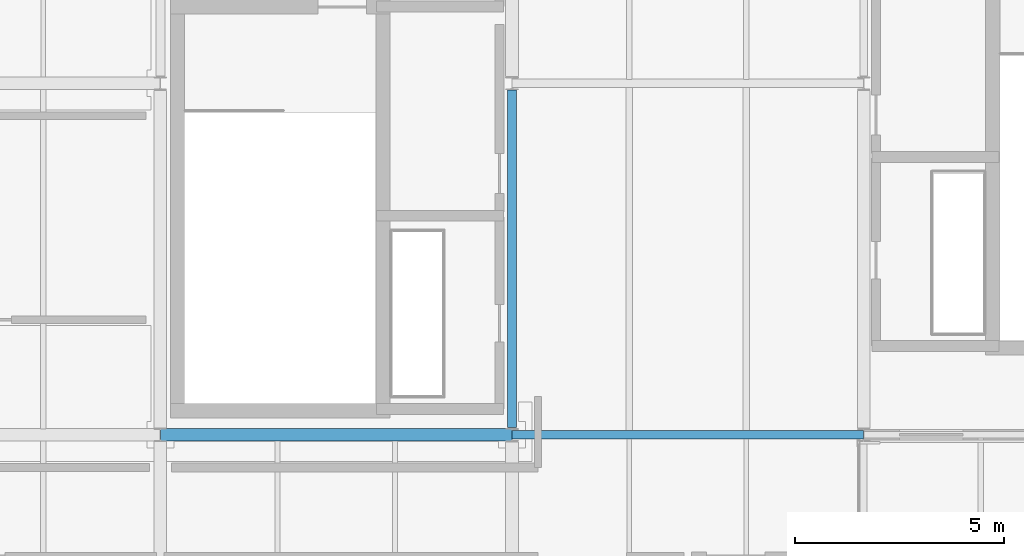
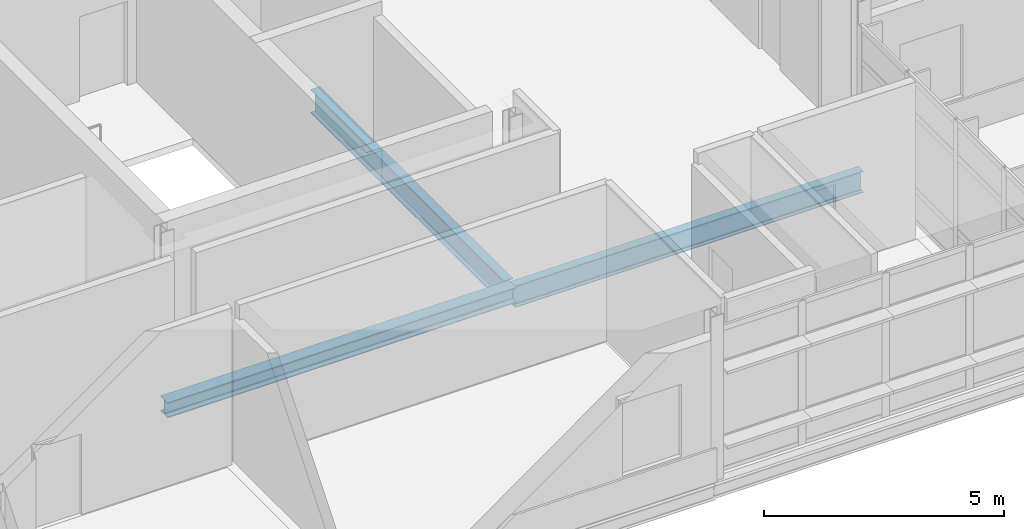
# One storey, part 21 of 35: 3 beams.
"""IFC4 building model written with IfcOpenShell, lengths in metres."""

from ifc_helpers import new_model, si_unit, direction, frame, origin, origin_2d, place, context, subcontext, project, spatial, i_section, extrude, material, material_profile, profile_set, type_object, element, save


model = new_model("IFC4")

# Units and contexts
model_context = context("Model", 3, precision=1e-05, world=origin(), true_north=direction((0.0, 1.0)))
body_context = subcontext(model_context, "Body", "Model", "MODEL_VIEW")
ifc_project = project(units=[si_unit("LENGTHUNIT", "METRE"), si_unit("AREAUNIT", "SQUARE_METRE"), si_unit("VOLUMEUNIT", "CUBIC_METRE"), si_unit("PLANEANGLEUNIT", "RADIAN"), si_unit("MASSUNIT", "GRAM", prefix="KILO")], contexts=[model_context])

# Site, building, storey
site_placement = place(None, origin())
site = spatial("IfcSite", under=ifc_project, at=site_placement, CompositionType="ELEMENT")
building_placement = place(site_placement, origin())
building = spatial("IfcBuilding", under=site, at=building_placement, Name="Mersafa Astral City Hall", CompositionType="ELEMENT")
storey_placement = place(building_placement, frame((0.0, 0.0, 30.14990234375)))
storey = spatial("IfcBuildingStorey", under=building, at=storey_placement, Name="L07", CompositionType="ELEMENT", Elevation=30.14990234375)

# Beams
ifc_material = material(Name="Steel S355", Category="steel")
ifc_material_profile_1 = material_profile(ifc_material, i_section(OverallWidth=0.300048828125, OverallDepth=0.389892578125, WebThickness=0.010986328125, FlangeThickness=0.01904296875, FilletRadius=0.027099609375, at=origin_2d()), Name="HEA 400")
ifc_profile_set_1 = profile_set([ifc_material_profile_1], Name="Steel S355")
beam_type_1 = type_object("IfcBeamType", Name="STR-BM-HEA400", PredefinedType="BEAM", material=ifc_profile_set_1)
beam_1_placement = place(storey_placement, frame((151.202880859375, 109.199951171875, -0.369873046875), z_axis=(1.0, 0.0, 0.0), x_axis=(0.0, 1.0, 0.0)))
element("IfcBeam", 1, at=beam_1_placement, inside=storey, type_object=beam_type_1, Name="L07 Primary girder X 18-13", PredefinedType="BEAM", context=body_context, shape_type="SweptSolid", body=[
    extrude(i_section(OverallWidth=0.300048828125, OverallDepth=0.389892578125, WebThickness=0.010986328125, FlangeThickness=0.01904296875, FilletRadius=0.027099609375, at=origin_2d()), origin(), (0.0, 0.0, 1.0), 8.39404296875),
])
ifc_material_profile_2 = material_profile(ifc_material, i_section(OverallWidth=0.2099609375, OverallDepth=0.550048828125, WebThickness=0.010986328125, FlangeThickness=0.01708984375, FilletRadius=0.02392578125, at=origin_2d()), Name="IPE 550")
ifc_profile_set_2 = profile_set([ifc_material_profile_2], Name="Steel S355")
beam_type_2 = type_object("IfcBeamType", Name="STR-BM-IPE550", PredefinedType="BEAM", material=ifc_profile_set_2)
beam_2_placement = place(storey_placement, frame((159.60302734375, 109.199951171875, -0.449951171875), z_axis=(1.0, 0.0, 0.0), x_axis=(0.0, 1.0, 0.0)))
element("IfcBeam", 2, at=beam_2_placement, inside=storey, type_object=beam_type_2, Name="L07 Primary girder X 19-13", PredefinedType="BEAM", context=body_context, shape_type="SweptSolid", body=[
    extrude(i_section(OverallWidth=0.2099609375, OverallDepth=0.550048828125, WebThickness=0.010986328125, FlangeThickness=0.01708984375, FilletRadius=0.02392578125, at=origin_2d()), origin(), (0.0, 0.0, 1.0), 8.39404296875),
])
ifc_material_profile_3 = material_profile(ifc_material, i_section(OverallWidth=0.219970703125, OverallDepth=0.60009765625, WebThickness=0.011962890625, FlangeThickness=0.01904296875, FilletRadius=0.02392578125, at=origin_2d()), Name="IPE 600")
ifc_profile_set_3 = profile_set([ifc_material_profile_3], Name="Steel S355")
beam_type_3 = type_object("IfcBeamType", Name="STR-BM-IPE600", PredefinedType="BEAM", material=ifc_profile_set_3)
beam_3_placement = place(storey_placement, frame((159.60009765625, 109.375, -0.474853515625), z_axis=(0.0, 1.0, 0.0), x_axis=(-1.0, 0.0, 0.0)))
element("IfcBeam", 3, at=beam_3_placement, inside=storey, type_object=beam_type_3, Name="L07 Primary girder Y 19-13", PredefinedType="BEAM", context=body_context, shape_type="SweptSolid", body=[
    extrude(i_section(OverallWidth=0.219970703125, OverallDepth=0.60009765625, WebThickness=0.011962890625, FlangeThickness=0.01904296875, FilletRadius=0.02392578125, at=origin_2d()), origin(), (0.0, 0.0, 1.0), 8.06005859375),
])

save(model, "model.ifc")
